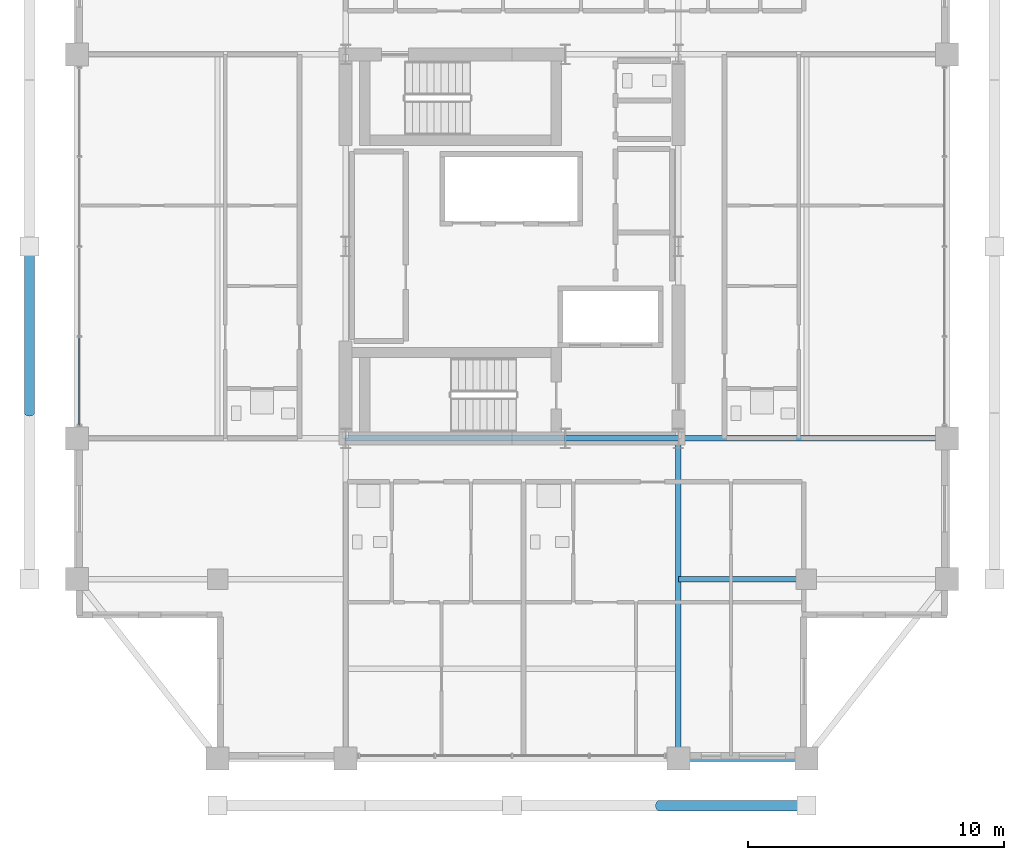
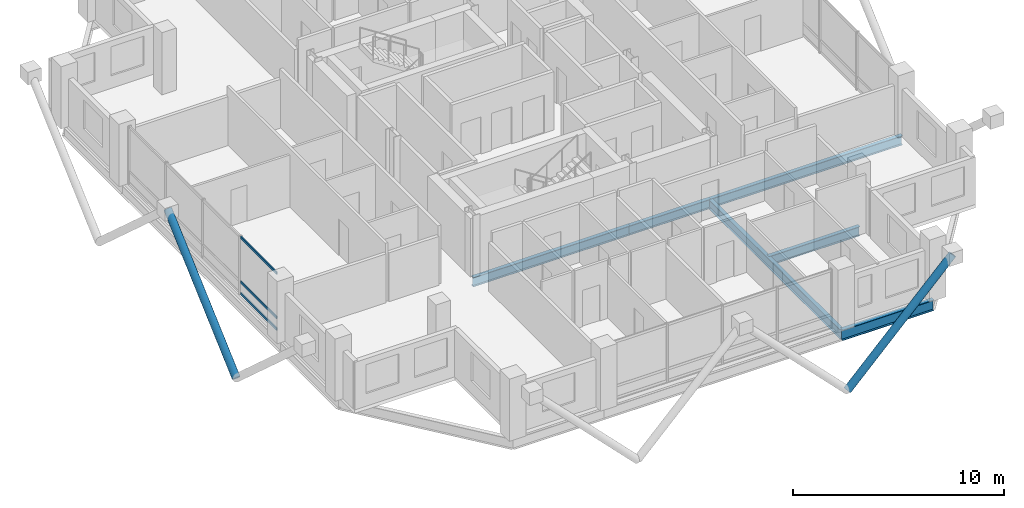
# One storey, part 6 of 24: 6 beams, 5 members, 1 element without a shape of its own.
"""IFC4 building model written with IfcOpenShell, lengths in metres."""

from ifc_helpers import new_model, si_unit, direction, frame, origin, origin_2d, place, context, subcontext, project, spatial, hollow_rectangle, hollow_circle, i_section, extrude, material, layer, layer_set, material_profile, profile_set, type_object, element, aggregate, save


model = new_model("IFC4")

# Units and contexts
model_context = context("Model", 3, precision=1e-05, world=origin(), true_north=direction((0.0, 1.0)))
body_context = subcontext(model_context, "Body", "Model", "MODEL_VIEW")
ifc_project = project(units=[si_unit("LENGTHUNIT", "METRE"), si_unit("AREAUNIT", "SQUARE_METRE"), si_unit("VOLUMEUNIT", "CUBIC_METRE"), si_unit("PLANEANGLEUNIT", "RADIAN"), si_unit("MASSUNIT", "GRAM", prefix="KILO")], contexts=[model_context])

# Site, building, storey
site_placement = place(None, origin())
site = spatial("IfcSite", under=ifc_project, at=site_placement, CompositionType="ELEMENT")
building_placement = place(site_placement, origin())
building = spatial("IfcBuilding", under=site, at=building_placement, Name="Barlavira Tower and Art Museum", CompositionType="ELEMENT")
storey_placement = place(building_placement, frame((0.0, 0.0, 225.89990234375)))
storey = spatial("IfcBuildingStorey", under=building, at=storey_placement, Name="L58", CompositionType="ELEMENT", Elevation=225.89990234375)

# Curtain wall, members
ifc_material_1 = material(Name="Low-iron coastal laminated glass", Category="glass")
ifc_layer = layer(ifc_material_1, 0.2099609375, Name="Low-iron coastal laminated glass")
ifc_layer_set = layer_set([ifc_layer], Name="Low-iron coastal laminated glass")
curtain_wall_type = type_object("IfcCurtainWallType", Name="Pale-Metal Unitised Curtain Wall Zone 4", PredefinedType="NOTDEFINED", material=ifc_layer_set)
curtain_wall_placement = place(storey_placement, origin())
curtain_wall = element("IfcCurtainWall", 1, at=curtain_wall_placement, inside=storey, type_object=curtain_wall_type, Name="L58 Curtain Wall CW4-L58-W-B3", PredefinedType="NOTDEFINED")
ifc_material_2 = material(Name="Pale anodised aluminium", Category="aluminium")
ifc_material_profile_1 = material_profile(ifc_material_2, hollow_rectangle(XDim=0.06494140625, YDim=0.139892578125, WallThickness=0.00390625, at=origin_2d()), Name="ALU-TRAN 65x140x4")
ifc_profile_set_1 = profile_set([ifc_material_profile_1], Name="Pale anodised aluminium")
member_type_1 = type_object("IfcMemberType", Name="Curtain Wall Pale-Metal Transom 65x140", PredefinedType="USERDEFINED", material=ifc_profile_set_1)
member_1_placement = place(storey_placement, frame((-16.89990234375, -3.56005859375, 0.070068359375), z_axis=(0.0, -1.0, 0.0), x_axis=(1.0, 0.0, 0.0)))
member_1 = element("IfcMember", 2, at=member_1_placement, type_object=member_type_1, Name="CW4-L58-W-B3 Transom 3.1", ObjectType="TRANSOM", PredefinedType="USERDEFINED", context=body_context, shape_type="SweptSolid", body=[
    extrude(hollow_rectangle(XDim=0.06494140625, YDim=0.139892578125, WallThickness=0.00390625, at=origin_2d()), origin(), (0.0, 0.0, 1.0), 3.425048828125),
])
member_2_placement = place(storey_placement, frame((-16.89990234375, -3.56005859375, 0.744140625), z_axis=(0.0, -1.0, 0.0), x_axis=(1.0, 0.0, 0.0)))
member_2 = element("IfcMember", 3, at=member_2_placement, type_object=member_type_1, Name="CW4-L58-W-B3 Transom 3.2", ObjectType="TRANSOM", PredefinedType="USERDEFINED", context=body_context, shape_type="SweptSolid", body=[
    extrude(hollow_rectangle(XDim=0.06494140625, YDim=0.139892578125, WallThickness=0.00390625, at=origin_2d()), origin(), (0.0, 0.0, 1.0), 3.425048828125),
])
member_3_placement = place(storey_placement, frame((-16.89990234375, -3.56005859375, 3.31005859375), z_axis=(0.0, -1.0, 0.0), x_axis=(1.0, 0.0, 0.0)))
member_3 = element("IfcMember", 4, at=member_3_placement, type_object=member_type_1, Name="CW4-L58-W-B3 Transom 3.3", ObjectType="TRANSOM", PredefinedType="USERDEFINED", context=body_context, shape_type="SweptSolid", body=[
    extrude(hollow_rectangle(XDim=0.06494140625, YDim=0.139892578125, WallThickness=0.00390625, at=origin_2d()), origin(), (0.0, 0.0, 1.0), 3.425048828125),
])
aggregate(curtain_wall, [member_1, member_2, member_3])

# Members
ifc_material_3 = material(Name="Steel S355", Category="steel")
ifc_material_profile_2 = material_profile(ifc_material_3, hollow_circle(Radius=0.203125, WallThickness=0.01611328125, at=origin_2d()), Name="CHS 406.4x16.0")
ifc_profile_set_2 = profile_set([ifc_material_profile_2], Name="Steel S355")
member_type_2 = type_object("IfcMemberType", Name="Pale-Metal Exoskeleton Diagrid Tube CHS 406x16 Steel S355", PredefinedType="BRACE", material=ifc_profile_set_2)
member_4_placement = place(storey_placement, frame((5.75, -21.85009765625, -2.369873046875), z_axis=(0.700993913973, 0.0, 0.713167254276), x_axis=(0.0, 1.0, 0.0)))
element("IfcMember", 5, at=member_4_placement, inside=storey, type_object=member_type_2, Name="L58 Exoskeleton Diagrid Tube S", PredefinedType="BRACE", context=body_context, shape_type="SweptSolid", body=[
    extrude(hollow_circle(Radius=0.203125, WallThickness=0.01611328125, at=origin_2d()), origin(), (0.0, 0.0, 1.0), 8.20263671875),
])
member_5_placement = place(storey_placement, frame((-18.85009765625, -6.5, -2.369873046875), z_axis=(0.0, 0.74330247547, 0.668955476815), x_axis=(-1.0, 0.0, 0.0)))
element("IfcMember", 6, at=member_5_placement, inside=storey, type_object=member_type_2, Name="L58 Exoskeleton Diagrid Tube W", PredefinedType="BRACE", context=body_context, shape_type="SweptSolid", body=[
    extrude(hollow_circle(Radius=0.203125, WallThickness=0.01611328125, at=origin_2d()), origin(), (0.0, 0.0, 1.0), 8.744873046875),
])

# Beams
ifc_material_profile_3 = material_profile(ifc_material_3, i_section(OverallWidth=0.22998046875, OverallDepth=0.616943359375, WebThickness=0.01318359375, FlangeThickness=0.022216796875, at=origin_2d()), Name="W610x140.0")
ifc_profile_set_3 = profile_set([ifc_material_profile_3], Name="Steel S355")
beam_type_1 = type_object("IfcBeamType", Name="Upper Shaft Spandrel Edge Beam W610x140 Steel S355", PredefinedType="SPANDREL", material=ifc_profile_set_3)
beam_1_placement = place(storey_placement, frame((6.5, -20.0, -0.5283203125), z_axis=(1.0, 0.0, 0.0), x_axis=(0.0, 1.0, 0.0)))
element("IfcBeam", 7, at=beam_1_placement, inside=storey, type_object=beam_type_1, Name="L58 Spandrel 3", PredefinedType="SPANDREL", context=body_context, shape_type="SweptSolid", body=[
    extrude(i_section(OverallWidth=0.22998046875, OverallDepth=0.616943359375, WebThickness=0.01318359375, FlangeThickness=0.022216796875, at=origin_2d()), origin(), (0.0, 0.0, 1.0), 5.0),
])
ifc_material_profile_4 = material_profile(ifc_material_3, i_section(OverallWidth=0.2109375, OverallDepth=0.5390625, WebThickness=0.01171875, FlangeThickness=0.018798828125, at=origin_2d()), Name="W530x109.0")
ifc_profile_set_4 = profile_set([ifc_material_profile_4], Name="Steel S355")
beam_type_2 = type_object("IfcBeamType", Name="Zone 3-4 Primary Floor Girder W530x109 Steel S355", PredefinedType="BEAM", material=ifc_profile_set_4)
beam_2_placement = place(storey_placement, frame((-6.5, -7.5, -0.489501953125), z_axis=(1.0, 0.0, 0.0), x_axis=(0.0, 1.0, 0.0)))
element("IfcBeam", 8, at=beam_2_placement, inside=storey, type_object=beam_type_2, Name="L58 Girder C-S1", PredefinedType="BEAM", context=body_context, shape_type="SweptSolid", body=[
    extrude(i_section(OverallWidth=0.2109375, OverallDepth=0.5390625, WebThickness=0.01171875, FlangeThickness=0.018798828125, at=origin_2d()), origin(), (0.0, 0.0, 1.0), 8.580078125),
])
beam_3_placement = place(storey_placement, frame((2.080078125, -7.5, -0.489501953125), z_axis=(1.0, 0.0, 0.0), x_axis=(0.0, 1.0, 0.0)))
element("IfcBeam", 9, at=beam_3_placement, inside=storey, type_object=beam_type_2, Name="L58 Girder C-S2", PredefinedType="BEAM", context=body_context, shape_type="SweptSolid", body=[
    extrude(i_section(OverallWidth=0.2109375, OverallDepth=0.5390625, WebThickness=0.01171875, FlangeThickness=0.018798828125, at=origin_2d()), origin(), (0.0, 0.0, 1.0), 4.419921875),
])
beam_4_placement = place(storey_placement, frame((6.5, -20.0, -0.489501953125), z_axis=(0.0, 1.0, 0.0), x_axis=(-1.0, 0.0, 0.0)))
element("IfcBeam", 10, at=beam_4_placement, inside=storey, type_object=beam_type_2, Name="L58 Girder R-S2", PredefinedType="BEAM", context=body_context, shape_type="SweptSolid", body=[
    extrude(i_section(OverallWidth=0.2109375, OverallDepth=0.5390625, WebThickness=0.01171875, FlangeThickness=0.018798828125, at=origin_2d()), origin(), (0.0, 0.0, 1.0), 12.5),
])
beam_5_placement = place(storey_placement, frame((6.5, -7.5, -0.489501953125), z_axis=(1.0, 0.0, 0.0), x_axis=(0.0, 1.0, 0.0)))
element("IfcBeam", 11, at=beam_5_placement, inside=storey, type_object=beam_type_2, Name="L58 Girder R-E1", PredefinedType="BEAM", context=body_context, shape_type="SweptSolid", body=[
    extrude(i_section(OverallWidth=0.2109375, OverallDepth=0.5390625, WebThickness=0.01171875, FlangeThickness=0.018798828125, at=origin_2d()), origin(), (0.0, 0.0, 1.0), 10.5),
])
beam_6_placement = place(storey_placement, frame((6.5, -13.0, -0.489501953125), z_axis=(1.0, 0.0, 0.0), x_axis=(0.0, 1.0, 0.0)))
element("IfcBeam", 12, at=beam_6_placement, inside=storey, type_object=beam_type_2, Name="L58 Girder I-S3", PredefinedType="BEAM", context=body_context, shape_type="SweptSolid", body=[
    extrude(i_section(OverallWidth=0.2109375, OverallDepth=0.5390625, WebThickness=0.01171875, FlangeThickness=0.018798828125, at=origin_2d()), origin(), (0.0, 0.0, 1.0), 5.0),
])

save(model, "model.ifc")
